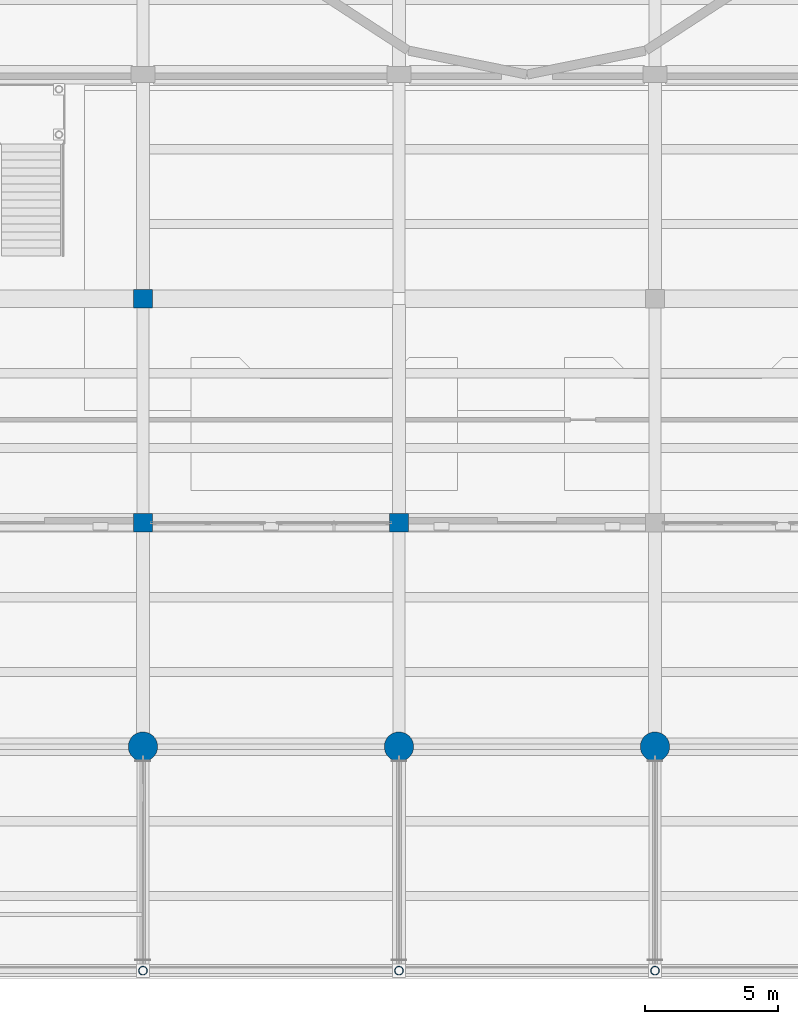
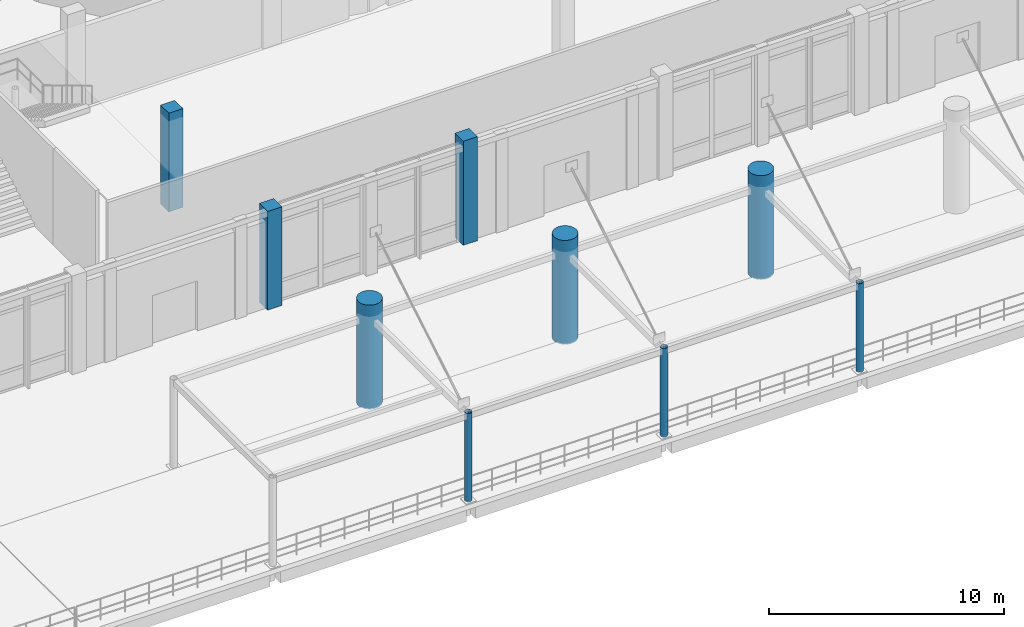
# One storey, part 6 of 71: 9 columns.
"""IFC4 building model written with IfcOpenShell, lengths in metres."""

from ifc_helpers import new_model, si_unit, direction, frame, origin, origin_2d, place, context, subcontext, project, spatial, rectangle, circle, hollow_circle, extrude, material, material_profile, profile_set, type_object, element, save


model = new_model("IFC4")

# Units and contexts
model_context = context("Model", 3, precision=1e-05, world=origin(), true_north=direction((0.0, 1.0)))
body_context = subcontext(model_context, "Body", "Model", "MODEL_VIEW")
ifc_project = project(units=[si_unit("LENGTHUNIT", "METRE"), si_unit("AREAUNIT", "SQUARE_METRE"), si_unit("VOLUMEUNIT", "CUBIC_METRE"), si_unit("PLANEANGLEUNIT", "RADIAN"), si_unit("MASSUNIT", "GRAM", prefix="KILO")], contexts=[model_context])

# Site, building, storey
site_placement = place(None, origin())
site = spatial("IfcSite", under=ifc_project, at=site_placement, CompositionType="ELEMENT")
building_placement = place(site_placement, origin())
building = spatial("IfcBuilding", under=site, at=building_placement, Name="Lornevale Opera House", CompositionType="ELEMENT")
storey_placement = place(building_placement, origin())
storey = spatial("IfcBuildingStorey", under=building, at=storey_placement, Name="L01", CompositionType="ELEMENT", Elevation=0.0)

# Columns
ifc_material_1 = material(Name="Concrete 40 MPa (CSA A23.1 C-1)", Category="concrete")
ifc_material_profile_1 = material_profile(ifc_material_1, rectangle(XDim=0.699951171875, YDim=0.699951171875, at=origin_2d()), Name="RC700x700")
ifc_profile_set_1 = profile_set([ifc_material_profile_1], Name="Concrete 40 MPa (CSA A23.1 C-1)")
column_type_1 = type_object("IfcColumnType", Name="Concrete Column 700x700", PredefinedType="COLUMN", material=ifc_profile_set_1)
for number, where, z_axis, x_axis, name in (
    (1, (67.199951171875, 16.800048828125, 0.0), (0.0, 0.0, 1.0), (1.0, 0.0, 0.0), "Concrete Column 700x700 0424"),
    (2, (67.199951171875, 25.199951171875, 0.0), (0.0, 0.0, 1.0), (1.0, 0.0, 0.0), "Concrete Column 700x700 0429"),
):
    element("IfcColumn", number, at=place(storey_placement, frame(where, z_axis=z_axis, x_axis=x_axis)), inside=storey, type_object=column_type_1, Name=name, PredefinedType="COLUMN", context=body_context, shape_type="SweptSolid", body=[
        extrude(rectangle(XDim=0.699951171875, YDim=0.699951171875, at=origin_2d()), origin(), (0.0, 0.0, 1.0), 5.1201171875),
    ])
column_placement = place(storey_placement, frame((76.800048828125, 16.800048828125, 0.0), z_axis=(0.0, 0.0, 1.0), x_axis=(1.0, 0.0, 0.0)))
element("IfcColumn", 3, at=column_placement, inside=storey, type_object=column_type_1, Name="Concrete Column 700x700 0506", PredefinedType="COLUMN", context=body_context, shape_type="SweptSolid", body=[
    extrude(rectangle(XDim=0.699951171875, YDim=0.699951171875, at=origin_2d()), origin(), (0.0, 0.0, 1.0), 5.39990234375),
])
ifc_material_2 = material(Name="Structural Steel CSA G40.21 Grade 350W (350 MPa)", Category="steel")
ifc_material_profile_2 = material_profile(ifc_material_2, hollow_circle(Radius=0.162109375, WallThickness=0.0126953125, at=origin_2d()), Name="HSS324x13")
ifc_profile_set_2 = profile_set([ifc_material_profile_2], Name="Structural Steel CSA G40.21 Grade 350W (350 MPa)")
column_type_2 = type_object("IfcColumnType", Name="Portico Canopy Mast HSS324x13", PredefinedType="COLUMN", material=ifc_profile_set_2)
for number, where, z_axis, x_axis, name in (
    (4, (67.199951171875, 0.0, 0.0), (0.0, 0.0, 1.0), (1.0, 0.0, 0.0), "Portico Canopy Mast HSS324x13 1115"),
    (5, (76.800048828125, 0.0, 0.0), (0.0, 0.0, 1.0), (1.0, 0.0, 0.0), "Portico Canopy Mast HSS324x13 1116"),
    (6, (86.39990234375, 0.0, 0.0), (0.0, 0.0, 1.0), (1.0, 0.0, 0.0), "Portico Canopy Mast HSS324x13 1117"),
):
    element("IfcColumn", number, at=place(storey_placement, frame(where, z_axis=z_axis, x_axis=x_axis)), inside=storey, type_object=column_type_2, Name=name, PredefinedType="COLUMN", context=body_context, shape_type="SweptSolid", body=[
        extrude(hollow_circle(Radius=0.162109375, WallThickness=0.0126953125, at=origin_2d()), origin(), (0.0, 0.0, 1.0), 4.610107421875),
    ])
ifc_material_3 = material(Name="Precast Concrete 40 MPa (CSA A23.1 C-1)", Category="concrete")
ifc_material_profile_3 = material_profile(ifc_material_3, circle(Radius=0.550048828125, at=origin_2d()), Name="RCCOL1100")
ifc_profile_set_3 = profile_set([ifc_material_profile_3], Name="Precast Concrete 40 MPa (CSA A23.1 C-1)")
column_type_3 = type_object("IfcColumnType", Name="Postmodern Portico Column D1100", PredefinedType="COLUMN", material=ifc_profile_set_3)
for number, where, z_axis, x_axis, name in (
    (7, (67.199951171875, 8.39990234375, 0.0), (0.0, 0.0, 1.0), (1.0, 0.0, 0.0), "Postmodern Portico Column D1100 0419"),
    (8, (76.800048828125, 8.39990234375, 0.0), (0.0, 0.0, 1.0), (1.0, 0.0, 0.0), "Postmodern Portico Column D1100 0501"),
    (9, (86.39990234375, 8.39990234375, 0.0), (0.0, 0.0, 1.0), (1.0, 0.0, 0.0), "Postmodern Portico Column D1100 0548"),
):
    element("IfcColumn", number, at=place(storey_placement, frame(where, z_axis=z_axis, x_axis=x_axis)), inside=storey, type_object=column_type_3, Name=name, PredefinedType="COLUMN", context=body_context, shape_type="SweptSolid", body=[
        extrude(circle(Radius=0.550048828125, at=origin_2d()), origin(), (0.0, 0.0, 1.0), 5.39990234375),
    ])

save(model, "model.ifc")
